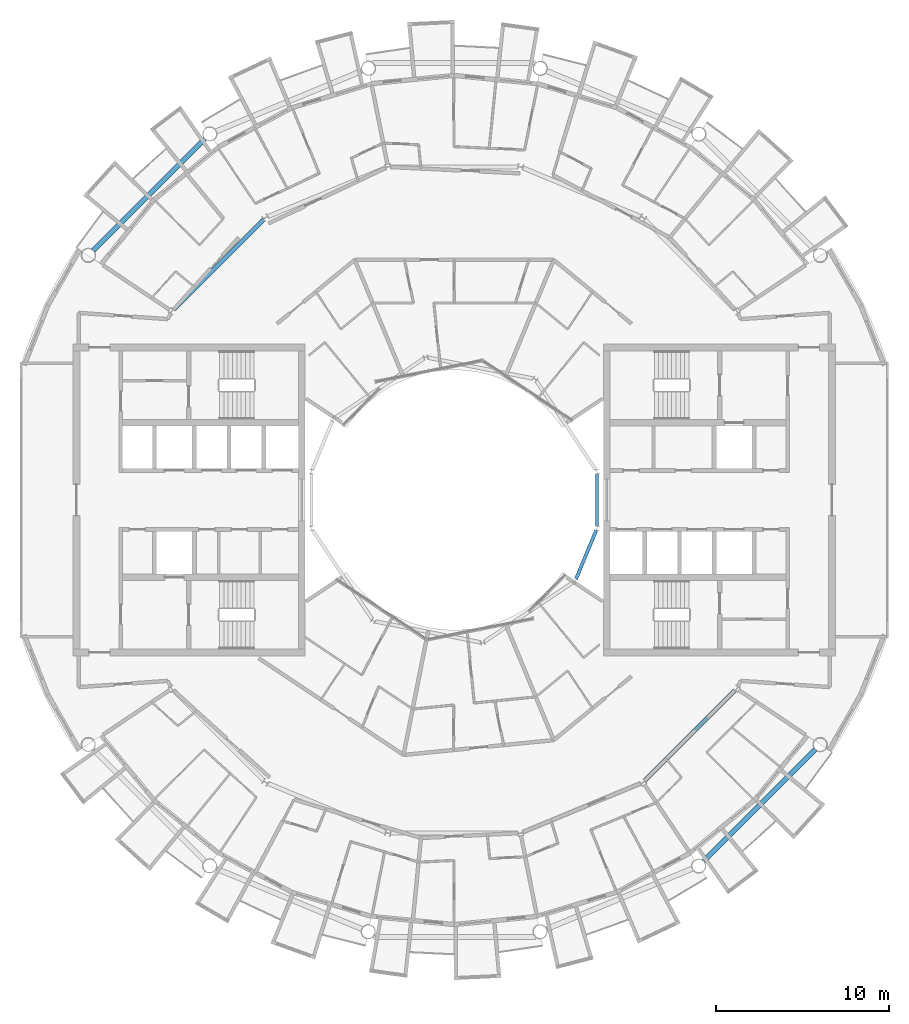
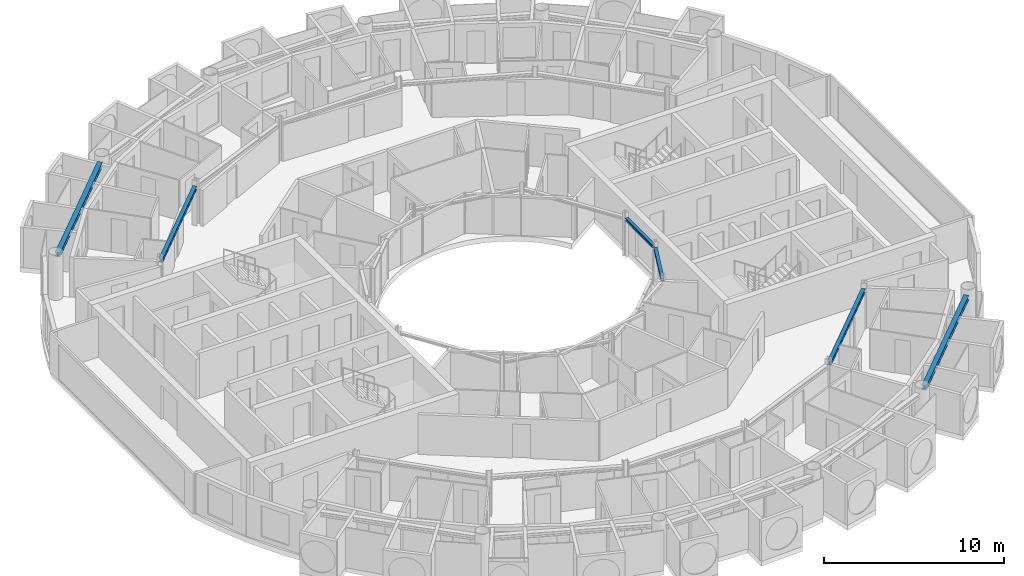
# One storey, part 8 of 27: 6 beams.
"""IFC4 building model written with IfcOpenShell, lengths in metres."""

from ifc_helpers import new_model, si_unit, direction, frame, origin, origin_2d, place, context, subcontext, project, spatial, i_section, extrude, material, material_profile, profile_set, type_object, element, save


model = new_model("IFC4")

# Units and contexts
model_context = context("Model", 3, precision=1e-05, world=origin(), true_north=direction((0.0, 1.0)))
body_context = subcontext(model_context, "Body", "Model", "MODEL_VIEW")
ifc_project = project(units=[si_unit("LENGTHUNIT", "METRE"), si_unit("AREAUNIT", "SQUARE_METRE"), si_unit("VOLUMEUNIT", "CUBIC_METRE"), si_unit("PLANEANGLEUNIT", "RADIAN"), si_unit("MASSUNIT", "GRAM", prefix="KILO")], contexts=[model_context])

# Site, building, storey
site_placement = place(None, origin())
site = spatial("IfcSite", under=ifc_project, at=site_placement, CompositionType="ELEMENT")
building_placement = place(site_placement, origin())
building = spatial("IfcBuilding", under=site, at=building_placement, Name="Maasbend Ring Residences", CompositionType="ELEMENT")
storey_placement = place(building_placement, frame((0.0, 0.0, 240.14990234375)))
storey = spatial("IfcBuildingStorey", under=building, at=storey_placement, Name="L69", CompositionType="ELEMENT", Elevation=240.14990234375)

# Beams
ifc_material_1 = material(Name="Steel S355J2", Category="steel")
ifc_material_profile_1 = material_profile(ifc_material_1, i_section(OverallWidth=0.239990234375, OverallDepth=0.22998046875, WebThickness=0.007568359375, FlangeThickness=0.011962890625, FilletRadius=0.02099609375, at=origin_2d()), Name="HEA 240")
ifc_profile_set_1 = profile_set([ifc_material_profile_1], Name="Steel S355J2")
beam_type_1 = type_object("IfcBeamType", Name="Corridor ring beam HEA 240", PredefinedType="BEAM", material=ifc_profile_set_1)
for number, where, z_axis, x_axis, name in (
    (1, (-10.997314453125, 16.188720703125, 2.585205078125), (-0.707106781187, -0.707106781187, 0.0), (0.707106781187, -0.707106781187, 0.0), "Corridor ring beam"),
    (2, (10.997314453125, -16.188720703125, 2.585205078125), (0.707106781187, 0.707106781187, 0.0), (-0.707106781187, 0.707106781187, 0.0), "Corridor ring beam"),
):
    element("IfcBeam", number, at=place(storey_placement, frame(where, z_axis=z_axis, x_axis=x_axis)), inside=storey, type_object=beam_type_1, Name=name, PredefinedType="BEAM", context=body_context, shape_type="SweptSolid", body=[
        extrude(i_section(OverallWidth=0.239990234375, OverallDepth=0.22998046875, WebThickness=0.007568359375, FlangeThickness=0.011962890625, FilletRadius=0.02099609375, at=origin_2d()), origin(), (0.0, 0.0, 1.0), 7.341796875),
    ])
ifc_material_2 = material(Name="Steel S355J2", Category="steel")
ifc_material_profile_2 = material_profile(ifc_material_2, i_section(OverallWidth=0.300048828125, OverallDepth=0.300048828125, WebThickness=0.010986328125, FlangeThickness=0.01904296875, FilletRadius=0.027099609375, at=origin_2d()), Name="HEB 300")
ifc_profile_set_2 = profile_set([ifc_material_profile_2], Name="Steel S355J2")
beam_type_2 = type_object("IfcBeamType", Name="Spandrel ring beam HEB 300", PredefinedType="SPANDREL", material=ifc_profile_set_2)
for number, where, z_axis, x_axis, name in (
    (3, (-14.39892578125, 20.831787109375, 2.550048828125), (-0.707106781187, -0.707106781187, 0.0), (0.707106781187, -0.707106781187, 0.0), "Spandrel ring beam"),
    (4, (14.39892578125, -20.831787109375, 2.550048828125), (0.707106781187, 0.707106781187, 0.0), (-0.707106781187, 0.707106781187, 0.0), "Spandrel ring beam"),
):
    element("IfcBeam", number, at=place(storey_placement, frame(where, z_axis=z_axis, x_axis=x_axis)), inside=storey, type_object=beam_type_2, Name=name, PredefinedType="SPANDREL", context=body_context, shape_type="SweptSolid", body=[
        extrude(i_section(OverallWidth=0.300048828125, OverallDepth=0.300048828125, WebThickness=0.010986328125, FlangeThickness=0.01904296875, FilletRadius=0.027099609375, at=origin_2d()), origin(), (0.0, 0.0, 1.0), 9.097412109375),
    ])
ifc_material_3 = material(Name="Steel S355J2", Category="steel")
ifc_material_profile_3 = material_profile(ifc_material_3, i_section(OverallWidth=0.199951171875, OverallDepth=0.18994140625, WebThickness=0.006591796875, FlangeThickness=0.010009765625, FilletRadius=0.01806640625, at=origin_2d()), Name="HEA 200")
ifc_profile_set_3 = profile_set([ifc_material_profile_3], Name="Steel S355J2")
beam_type_3 = type_object("IfcBeamType", Name="Well edge beam HEA 200", PredefinedType="BEAM", material=ifc_profile_set_3)
for number, where, z_axis, x_axis, name in (
    (5, (7.029296875, -4.55859375, 2.60498046875), (0.382609241817, 0.923910259753, 0.0), (-0.923910259753, 0.382609241817, 0.0), "Well edge beam"),
    (6, (8.238525390625, -1.521484375, 2.60498046875), (0.0, 1.0, 0.0), (-1.0, 0.0, 0.0), "Well edge beam"),
):
    element("IfcBeam", number, at=place(storey_placement, frame(where, z_axis=z_axis, x_axis=x_axis)), inside=storey, type_object=beam_type_3, Name=name, PredefinedType="BEAM", context=body_context, shape_type="SweptSolid", body=[
        extrude(i_section(OverallWidth=0.199951171875, OverallDepth=0.18994140625, WebThickness=0.006591796875, FlangeThickness=0.010009765625, FilletRadius=0.01806640625, at=origin_2d()), origin(), (0.0, 0.0, 1.0), 3.04296875),
    ])

save(model, "model.ifc")
